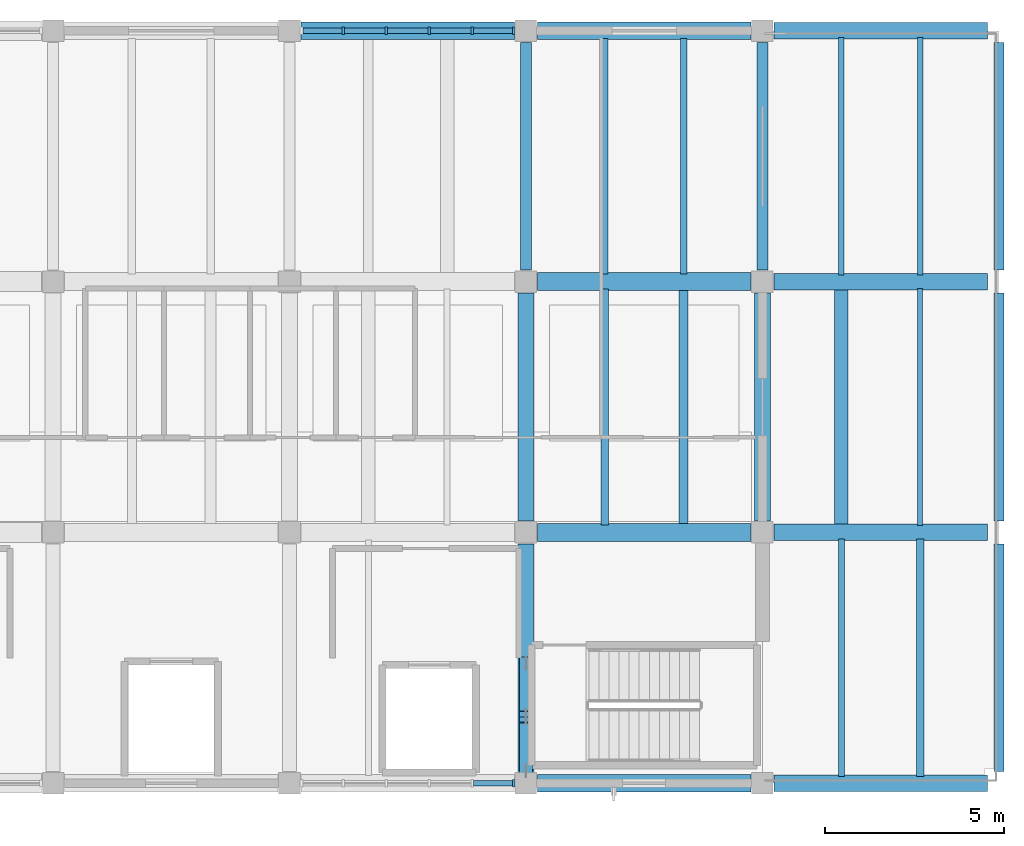
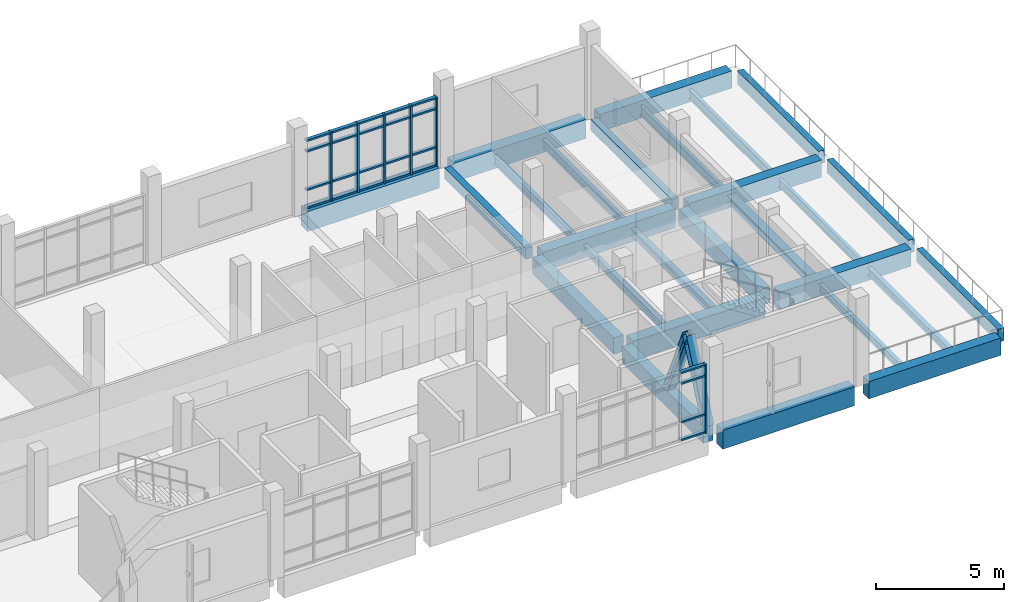
# One storey, part 5 of 14: 32 members, 27 beams, 2 elements without a shape of their own.
"""IFC4 building model written with IfcOpenShell, lengths in metres."""

from ifc_helpers import new_model, si_unit, direction, frame, origin, origin_2d, place, context, subcontext, project, spatial, rectangle, i_section, extrude, material, material_profile, profile_set, type_object, element, aggregate, save


model = new_model("IFC4")

# Units and contexts
model_context = context("Model", 3, precision=1e-05, world=origin(), true_north=direction((0.0, 1.0)))
body_context = subcontext(model_context, "Body", "Model", "MODEL_VIEW")
ifc_project = project(units=[si_unit("LENGTHUNIT", "METRE"), si_unit("AREAUNIT", "SQUARE_METRE"), si_unit("VOLUMEUNIT", "CUBIC_METRE"), si_unit("PLANEANGLEUNIT", "RADIAN"), si_unit("MASSUNIT", "GRAM", prefix="KILO")], contexts=[model_context])

# Site, building, storey
site_placement = place(None, origin())
site = spatial("IfcSite", under=ifc_project, at=site_placement, CompositionType="ELEMENT")
building_placement = place(site_placement, origin())
building = spatial("IfcBuilding", under=site, at=building_placement, Name="Ciguamira Faculty of Natural Sciences", CompositionType="ELEMENT")
storey_placement = place(building_placement, frame((0.0, 0.0, 29.39990234375)))
storey = spatial("IfcBuildingStorey", under=building, at=storey_placement, Name="L07", CompositionType="ELEMENT", Elevation=29.39990234375)

# Curtain wall, member
ifc_material_1 = material(Name="Anodized aluminium curtain wall", Category="aluminium")
curtain_wall_type_1 = type_object("IfcCurtainWallType", Name="CurtainWall_CW-06", PredefinedType="USERDEFINED", material=ifc_material_1)
curtain_wall_1_placement = place(storey_placement, origin())
curtain_wall_1 = element("IfcCurtainWall", 1, at=curtain_wall_1_placement, inside=storey, type_object=curtain_wall_type_1, Name="L07 unitised curtain wall 0150", ObjectType="UNITISED CURTAIN WALL", PredefinedType="USERDEFINED")
ifc_material_2 = material(Name="Anodized aluminium mullion", Category="aluminium")
ifc_material_profile_1 = material_profile(ifc_material_2, rectangle(XDim=0.080078125, YDim=0.219970703125, at=origin_2d()), Name="ALU-MUL-80X220")
ifc_profile_set_1 = profile_set([ifc_material_profile_1], Name="Anodized aluminium mullion")
member_type_1 = type_object("IfcMemberType", Name="CWMullion_CWM-03", PredefinedType="MULLION", material=ifc_profile_set_1)
member_1_placement = place(storey_placement, frame((96.56005859375, 94.0, 0.0), z_axis=(0.0, 0.0, 1.0), x_axis=(1.0, 0.0, 0.0)))
member_1 = element("IfcMember", 2, at=member_1_placement, type_object=member_type_1, Name="CW-06 mullion 6", PredefinedType="MULLION", context=body_context, shape_type="SweptSolid", body=[
    extrude(rectangle(XDim=0.080078125, YDim=0.219970703125, at=origin_2d()), origin(), (0.0, 0.0, 1.0), 3.28515625),
])

# Curtain wall, members
curtain_wall_type_2 = type_object("IfcCurtainWallType", Name="CurtainWall_CW-09", PredefinedType="USERDEFINED", material=ifc_material_1)
curtain_wall_2_placement = place(storey_placement, origin())
curtain_wall_2 = element("IfcCurtainWall", 3, at=curtain_wall_2_placement, inside=storey, type_object=curtain_wall_type_2, Name="L07 unitised curtain wall 0153", ObjectType="UNITISED CURTAIN WALL", PredefinedType="USERDEFINED")
member_2_placement = place(storey_placement, frame((91.800048828125, 115.0, 0.0), z_axis=(0.0, 0.0, 1.0), x_axis=(1.0, 0.0, 0.0)))
member_2 = element("IfcMember", 4, at=member_2_placement, type_object=member_type_1, Name="CW-09 mullion 2", PredefinedType="MULLION", context=body_context, shape_type="SweptSolid", body=[
    extrude(rectangle(XDim=0.080078125, YDim=0.219970703125, at=origin_2d()), origin(), (0.0, 0.0, 1.0), 3.28515625),
])
member_3_placement = place(storey_placement, frame((93.0, 115.0, 0.0), z_axis=(0.0, 0.0, 1.0), x_axis=(1.0, 0.0, 0.0)))
member_3 = element("IfcMember", 5, at=member_3_placement, type_object=member_type_1, Name="CW-09 mullion 3", PredefinedType="MULLION", context=body_context, shape_type="SweptSolid", body=[
    extrude(rectangle(XDim=0.080078125, YDim=0.219970703125, at=origin_2d()), origin(), (0.0, 0.0, 1.0), 3.28515625),
])
member_4_placement = place(storey_placement, frame((94.199951171875, 115.0, 0.0), z_axis=(0.0, 0.0, 1.0), x_axis=(1.0, 0.0, 0.0)))
member_4 = element("IfcMember", 6, at=member_4_placement, type_object=member_type_1, Name="CW-09 mullion 4", PredefinedType="MULLION", context=body_context, shape_type="SweptSolid", body=[
    extrude(rectangle(XDim=0.080078125, YDim=0.219970703125, at=origin_2d()), origin(), (0.0, 0.0, 1.0), 3.28515625),
])
member_5_placement = place(storey_placement, frame((95.39990234375, 115.0, 0.0), z_axis=(0.0, 0.0, 1.0), x_axis=(1.0, 0.0, 0.0)))
member_5 = element("IfcMember", 7, at=member_5_placement, type_object=member_type_1, Name="CW-09 mullion 5", PredefinedType="MULLION", context=body_context, shape_type="SweptSolid", body=[
    extrude(rectangle(XDim=0.080078125, YDim=0.219970703125, at=origin_2d()), origin(), (0.0, 0.0, 1.0), 3.28515625),
])
member_6_placement = place(storey_placement, frame((96.56005859375, 115.0, 0.0), z_axis=(0.0, 0.0, 1.0), x_axis=(1.0, 0.0, 0.0)))
member_6 = element("IfcMember", 8, at=member_6_placement, type_object=member_type_1, Name="CW-09 mullion 6", PredefinedType="MULLION", context=body_context, shape_type="SweptSolid", body=[
    extrude(rectangle(XDim=0.080078125, YDim=0.219970703125, at=origin_2d()), origin(), (0.0, 0.0, 1.0), 3.28515625),
])

# Member
ifc_material_3 = material(Name="Anodized aluminium transom", Category="aluminium")
ifc_material_profile_2 = material_profile(ifc_material_3, rectangle(XDim=0.080078125, YDim=0.159912109375, at=origin_2d()), Name="ALU-TRN-80X160")
ifc_profile_set_2 = profile_set([ifc_material_profile_2], Name="Anodized aluminium transom")
member_type_2 = type_object("IfcMemberType", Name="CWTransom_CWT-03", PredefinedType="USERDEFINED", material=ifc_profile_set_2)
member_7_placement = place(storey_placement, frame((95.43994140625, 94.0, 0.0400390625), z_axis=(1.0, 0.0, 0.0), x_axis=(0.0, 0.0, 1.0)))
member_7 = element("IfcMember", 9, at=member_7_placement, type_object=member_type_2, Name="CW-06 transom 5.1", ObjectType="TRANSOM", PredefinedType="USERDEFINED", context=body_context, shape_type="SweptSolid", body=[
    extrude(rectangle(XDim=0.080078125, YDim=0.159912109375, at=origin_2d()), origin(), (0.0, 0.0, 1.0), 1.080078125),
])

member_8_placement = place(storey_placement, frame((95.43994140625, 94.0, 0.900146484375), z_axis=(1.0, 0.0, 0.0), x_axis=(0.0, 0.0, 1.0)))
member_8 = element("IfcMember", 10, at=member_8_placement, type_object=member_type_2, Name="CW-06 transom 5.2", ObjectType="TRANSOM", PredefinedType="USERDEFINED", context=body_context, shape_type="SweptSolid", body=[
    extrude(rectangle(XDim=0.080078125, YDim=0.159912109375, at=origin_2d()), origin(), (0.0, 0.0, 1.0), 1.080078125),
])

member_9_placement = place(storey_placement, frame((95.43994140625, 94.0, 2.735107421875), z_axis=(1.0, 0.0, 0.0), x_axis=(0.0, 0.0, 1.0)))
member_9 = element("IfcMember", 11, at=member_9_placement, type_object=member_type_2, Name="CW-06 transom 5.3", ObjectType="TRANSOM", PredefinedType="USERDEFINED", context=body_context, shape_type="SweptSolid", body=[
    extrude(rectangle(XDim=0.080078125, YDim=0.159912109375, at=origin_2d()), origin(), (0.0, 0.0, 1.0), 1.080078125),
])

member_10_placement = place(storey_placement, frame((95.43994140625, 94.0, 3.2451171875), z_axis=(1.0, 0.0, 0.0), x_axis=(0.0, 0.0, 1.0)))
member_10 = element("IfcMember", 12, at=member_10_placement, type_object=member_type_2, Name="CW-06 transom 5.4", ObjectType="TRANSOM", PredefinedType="USERDEFINED", context=body_context, shape_type="SweptSolid", body=[
    extrude(rectangle(XDim=0.080078125, YDim=0.159912109375, at=origin_2d()), origin(), (0.0, 0.0, 1.0), 1.080078125),
])

aggregate(curtain_wall_1, [member_1, member_7, member_8, member_9, member_10])

member_11_placement = place(storey_placement, frame((90.679931640625, 115.0, 0.0400390625), z_axis=(1.0, 0.0, 0.0), x_axis=(0.0, 0.0, 1.0)))
member_11 = element("IfcMember", 13, at=member_11_placement, type_object=member_type_2, Name="CW-09 transom 1.1", ObjectType="TRANSOM", PredefinedType="USERDEFINED", context=body_context, shape_type="SweptSolid", body=[
    extrude(rectangle(XDim=0.080078125, YDim=0.159912109375, at=origin_2d()), origin(), (0.0, 0.0, 1.0), 1.080078125),
])

member_12_placement = place(storey_placement, frame((90.679931640625, 115.0, 0.900146484375), z_axis=(1.0, 0.0, 0.0), x_axis=(0.0, 0.0, 1.0)))
member_12 = element("IfcMember", 14, at=member_12_placement, type_object=member_type_2, Name="CW-09 transom 1.2", ObjectType="TRANSOM", PredefinedType="USERDEFINED", context=body_context, shape_type="SweptSolid", body=[
    extrude(rectangle(XDim=0.080078125, YDim=0.159912109375, at=origin_2d()), origin(), (0.0, 0.0, 1.0), 1.080078125),
])

member_13_placement = place(storey_placement, frame((90.679931640625, 115.0, 2.735107421875), z_axis=(1.0, 0.0, 0.0), x_axis=(0.0, 0.0, 1.0)))
member_13 = element("IfcMember", 15, at=member_13_placement, type_object=member_type_2, Name="CW-09 transom 1.3", ObjectType="TRANSOM", PredefinedType="USERDEFINED", context=body_context, shape_type="SweptSolid", body=[
    extrude(rectangle(XDim=0.080078125, YDim=0.159912109375, at=origin_2d()), origin(), (0.0, 0.0, 1.0), 1.080078125),
])

member_14_placement = place(storey_placement, frame((90.679931640625, 115.0, 3.2451171875), z_axis=(1.0, 0.0, 0.0), x_axis=(0.0, 0.0, 1.0)))
member_14 = element("IfcMember", 16, at=member_14_placement, type_object=member_type_2, Name="CW-09 transom 1.4", ObjectType="TRANSOM", PredefinedType="USERDEFINED", context=body_context, shape_type="SweptSolid", body=[
    extrude(rectangle(XDim=0.080078125, YDim=0.159912109375, at=origin_2d()), origin(), (0.0, 0.0, 1.0), 1.080078125),
])

member_15_placement = place(storey_placement, frame((91.840087890625, 115.0, 0.0400390625), z_axis=(1.0, 0.0, 0.0), x_axis=(0.0, 0.0, 1.0)))
member_15 = element("IfcMember", 17, at=member_15_placement, type_object=member_type_2, Name="CW-09 transom 2.1", ObjectType="TRANSOM", PredefinedType="USERDEFINED", context=body_context, shape_type="SweptSolid", body=[
    extrude(rectangle(XDim=0.080078125, YDim=0.159912109375, at=origin_2d()), origin(), (0.0, 0.0, 1.0), 1.119873046875),
])

member_16_placement = place(storey_placement, frame((91.840087890625, 115.0, 0.900146484375), z_axis=(1.0, 0.0, 0.0), x_axis=(0.0, 0.0, 1.0)))
member_16 = element("IfcMember", 18, at=member_16_placement, type_object=member_type_2, Name="CW-09 transom 2.2", ObjectType="TRANSOM", PredefinedType="USERDEFINED", context=body_context, shape_type="SweptSolid", body=[
    extrude(rectangle(XDim=0.080078125, YDim=0.159912109375, at=origin_2d()), origin(), (0.0, 0.0, 1.0), 1.119873046875),
])

member_17_placement = place(storey_placement, frame((91.840087890625, 115.0, 2.735107421875), z_axis=(1.0, 0.0, 0.0), x_axis=(0.0, 0.0, 1.0)))
member_17 = element("IfcMember", 19, at=member_17_placement, type_object=member_type_2, Name="CW-09 transom 2.3", ObjectType="TRANSOM", PredefinedType="USERDEFINED", context=body_context, shape_type="SweptSolid", body=[
    extrude(rectangle(XDim=0.080078125, YDim=0.159912109375, at=origin_2d()), origin(), (0.0, 0.0, 1.0), 1.119873046875),
])

member_18_placement = place(storey_placement, frame((91.840087890625, 115.0, 3.2451171875), z_axis=(1.0, 0.0, 0.0), x_axis=(0.0, 0.0, 1.0)))
member_18 = element("IfcMember", 20, at=member_18_placement, type_object=member_type_2, Name="CW-09 transom 2.4", ObjectType="TRANSOM", PredefinedType="USERDEFINED", context=body_context, shape_type="SweptSolid", body=[
    extrude(rectangle(XDim=0.080078125, YDim=0.159912109375, at=origin_2d()), origin(), (0.0, 0.0, 1.0), 1.119873046875),
])

member_19_placement = place(storey_placement, frame((93.0400390625, 115.0, 0.0400390625), z_axis=(1.0, 0.0, 0.0), x_axis=(0.0, 0.0, 1.0)))
member_19 = element("IfcMember", 21, at=member_19_placement, type_object=member_type_2, Name="CW-09 transom 3.1", ObjectType="TRANSOM", PredefinedType="USERDEFINED", context=body_context, shape_type="SweptSolid", body=[
    extrude(rectangle(XDim=0.080078125, YDim=0.159912109375, at=origin_2d()), origin(), (0.0, 0.0, 1.0), 1.119873046875),
])

member_20_placement = place(storey_placement, frame((93.0400390625, 115.0, 0.900146484375), z_axis=(1.0, 0.0, 0.0), x_axis=(0.0, 0.0, 1.0)))
member_20 = element("IfcMember", 22, at=member_20_placement, type_object=member_type_2, Name="CW-09 transom 3.2", ObjectType="TRANSOM", PredefinedType="USERDEFINED", context=body_context, shape_type="SweptSolid", body=[
    extrude(rectangle(XDim=0.080078125, YDim=0.159912109375, at=origin_2d()), origin(), (0.0, 0.0, 1.0), 1.119873046875),
])

member_21_placement = place(storey_placement, frame((93.0400390625, 115.0, 2.735107421875), z_axis=(1.0, 0.0, 0.0), x_axis=(0.0, 0.0, 1.0)))
member_21 = element("IfcMember", 23, at=member_21_placement, type_object=member_type_2, Name="CW-09 transom 3.3", ObjectType="TRANSOM", PredefinedType="USERDEFINED", context=body_context, shape_type="SweptSolid", body=[
    extrude(rectangle(XDim=0.080078125, YDim=0.159912109375, at=origin_2d()), origin(), (0.0, 0.0, 1.0), 1.119873046875),
])

member_22_placement = place(storey_placement, frame((93.0400390625, 115.0, 3.2451171875), z_axis=(1.0, 0.0, 0.0), x_axis=(0.0, 0.0, 1.0)))
member_22 = element("IfcMember", 24, at=member_22_placement, type_object=member_type_2, Name="CW-09 transom 3.4", ObjectType="TRANSOM", PredefinedType="USERDEFINED", context=body_context, shape_type="SweptSolid", body=[
    extrude(rectangle(XDim=0.080078125, YDim=0.159912109375, at=origin_2d()), origin(), (0.0, 0.0, 1.0), 1.119873046875),
])

member_23_placement = place(storey_placement, frame((94.239990234375, 115.0, 0.0400390625), z_axis=(1.0, 0.0, 0.0), x_axis=(0.0, 0.0, 1.0)))
member_23 = element("IfcMember", 25, at=member_23_placement, type_object=member_type_2, Name="CW-09 transom 4.1", ObjectType="TRANSOM", PredefinedType="USERDEFINED", context=body_context, shape_type="SweptSolid", body=[
    extrude(rectangle(XDim=0.080078125, YDim=0.159912109375, at=origin_2d()), origin(), (0.0, 0.0, 1.0), 1.1201171875),
])

member_24_placement = place(storey_placement, frame((94.239990234375, 115.0, 0.900146484375), z_axis=(1.0, 0.0, 0.0), x_axis=(0.0, 0.0, 1.0)))
member_24 = element("IfcMember", 26, at=member_24_placement, type_object=member_type_2, Name="CW-09 transom 4.2", ObjectType="TRANSOM", PredefinedType="USERDEFINED", context=body_context, shape_type="SweptSolid", body=[
    extrude(rectangle(XDim=0.080078125, YDim=0.159912109375, at=origin_2d()), origin(), (0.0, 0.0, 1.0), 1.1201171875),
])

member_25_placement = place(storey_placement, frame((94.239990234375, 115.0, 2.735107421875), z_axis=(1.0, 0.0, 0.0), x_axis=(0.0, 0.0, 1.0)))
member_25 = element("IfcMember", 27, at=member_25_placement, type_object=member_type_2, Name="CW-09 transom 4.3", ObjectType="TRANSOM", PredefinedType="USERDEFINED", context=body_context, shape_type="SweptSolid", body=[
    extrude(rectangle(XDim=0.080078125, YDim=0.159912109375, at=origin_2d()), origin(), (0.0, 0.0, 1.0), 1.1201171875),
])

member_26_placement = place(storey_placement, frame((94.239990234375, 115.0, 3.2451171875), z_axis=(1.0, 0.0, 0.0), x_axis=(0.0, 0.0, 1.0)))
member_26 = element("IfcMember", 28, at=member_26_placement, type_object=member_type_2, Name="CW-09 transom 4.4", ObjectType="TRANSOM", PredefinedType="USERDEFINED", context=body_context, shape_type="SweptSolid", body=[
    extrude(rectangle(XDim=0.080078125, YDim=0.159912109375, at=origin_2d()), origin(), (0.0, 0.0, 1.0), 1.1201171875),
])

member_27_placement = place(storey_placement, frame((95.43994140625, 115.0, 0.0400390625), z_axis=(1.0, 0.0, 0.0), x_axis=(0.0, 0.0, 1.0)))
member_27 = element("IfcMember", 29, at=member_27_placement, type_object=member_type_2, Name="CW-09 transom 5.1", ObjectType="TRANSOM", PredefinedType="USERDEFINED", context=body_context, shape_type="SweptSolid", body=[
    extrude(rectangle(XDim=0.080078125, YDim=0.159912109375, at=origin_2d()), origin(), (0.0, 0.0, 1.0), 1.080078125),
])

member_28_placement = place(storey_placement, frame((95.43994140625, 115.0, 0.900146484375), z_axis=(1.0, 0.0, 0.0), x_axis=(0.0, 0.0, 1.0)))
member_28 = element("IfcMember", 30, at=member_28_placement, type_object=member_type_2, Name="CW-09 transom 5.2", ObjectType="TRANSOM", PredefinedType="USERDEFINED", context=body_context, shape_type="SweptSolid", body=[
    extrude(rectangle(XDim=0.080078125, YDim=0.159912109375, at=origin_2d()), origin(), (0.0, 0.0, 1.0), 1.080078125),
])

member_29_placement = place(storey_placement, frame((95.43994140625, 115.0, 2.735107421875), z_axis=(1.0, 0.0, 0.0), x_axis=(0.0, 0.0, 1.0)))
member_29 = element("IfcMember", 31, at=member_29_placement, type_object=member_type_2, Name="CW-09 transom 5.3", ObjectType="TRANSOM", PredefinedType="USERDEFINED", context=body_context, shape_type="SweptSolid", body=[
    extrude(rectangle(XDim=0.080078125, YDim=0.159912109375, at=origin_2d()), origin(), (0.0, 0.0, 1.0), 1.080078125),
])

member_30_placement = place(storey_placement, frame((95.43994140625, 115.0, 3.2451171875), z_axis=(1.0, 0.0, 0.0), x_axis=(0.0, 0.0, 1.0)))
member_30 = element("IfcMember", 32, at=member_30_placement, type_object=member_type_2, Name="CW-09 transom 5.4", ObjectType="TRANSOM", PredefinedType="USERDEFINED", context=body_context, shape_type="SweptSolid", body=[
    extrude(rectangle(XDim=0.080078125, YDim=0.159912109375, at=origin_2d()), origin(), (0.0, 0.0, 1.0), 1.080078125),
])

aggregate(curtain_wall_2, [member_2, member_3, member_4, member_5, member_6, member_11, member_12, member_13, member_14, member_15, member_16, member_17, member_18, member_19, member_20, member_21, member_22, member_23, member_24, member_25, member_26, member_27, member_28, member_29, member_30])

# Beams
ifc_material_4 = material(Name="Concrete C40/50", Category="concrete")
ifc_material_profile_3 = material_profile(ifc_material_4, rectangle(XDim=0.5, YDim=0.949951171875, at=origin_2d()), Name="RC-BM-500X950")
ifc_profile_set_3 = profile_set([ifc_material_profile_3], Name="Concrete C40/50")
beam_type_1 = type_object("IfcBeamType", Name="RCBeam_BG-02_RC-BM-500X950", PredefinedType="BEAM", material=ifc_profile_set_3)
beam_1_placement = place(storey_placement, frame((90.625, 115.0, -0.474853515625), z_axis=(1.0, 0.0, 0.0), x_axis=(0.0, 1.0, 0.0)))
element("IfcBeam", 33, at=beam_1_placement, inside=storey, type_object=beam_type_1, Name="L07 RC girder EW-1569", PredefinedType="BEAM", context=body_context, shape_type="SweptSolid", body=[
    extrude(rectangle(XDim=0.5, YDim=0.949951171875, at=origin_2d()), origin(), (0.0, 0.0, 1.0), 5.949951171875),
])
ifc_material_profile_4 = material_profile(ifc_material_4, rectangle(XDim=0.5, YDim=0.89990234375, at=origin_2d()), Name="RC-BM-500X900")
ifc_profile_set_4 = profile_set([ifc_material_profile_4], Name="Concrete C40/50")
beam_type_2 = type_object("IfcBeamType", Name="RCBeam_BG-03_RC-BM-500X900", PredefinedType="BEAM", material=ifc_profile_set_4)
for number, where, z_axis, x_axis, name in (
    (34, (97.22509765625, 94.0, -0.449951171875), (1.0, 0.0, 0.0), (0.0, 1.0, 0.0), "L07 RC girder EW-1549"),
    (35, (97.22509765625, 101.0, -0.449951171875), (1.0, 0.0, 0.0), (0.0, 1.0, 0.0), "L07 RC girder EW-1556"),
    (36, (97.22509765625, 108.0, -0.449951171875), (1.0, 0.0, 0.0), (0.0, 1.0, 0.0), "L07 RC girder EW-1563"),
    (37, (97.22509765625, 115.0, -0.449951171875), (1.0, 0.0, 0.0), (0.0, 1.0, 0.0), "L07 RC girder EW-1570"),
):
    element("IfcBeam", number, at=place(storey_placement, frame(where, z_axis=z_axis, x_axis=x_axis)), inside=storey, type_object=beam_type_2, Name=name, PredefinedType="BEAM", context=body_context, shape_type="SweptSolid", body=[
        extrude(rectangle(XDim=0.5, YDim=0.89990234375, at=origin_2d()), origin(), (0.0, 0.0, 1.0), 5.949951171875),
    ])
ifc_material_profile_5 = material_profile(ifc_material_4, rectangle(XDim=0.4599609375, YDim=0.820068359375, at=origin_2d()), Name="RC-BM-460X820")
ifc_profile_set_5 = profile_set([ifc_material_profile_5], Name="Concrete C40/50")
beam_type_3 = type_object("IfcBeamType", Name="RCBeam_BG-04_RC-BM-460X820", PredefinedType="BEAM", material=ifc_profile_set_5)
for number, where, z_axis, x_axis, name in (
    (38, (103.824951171875, 94.0, -0.409912109375), (1.0, 0.0, 0.0), (0.0, 1.0, 0.0), "L07 RC girder EW-1550"),
    (39, (103.824951171875, 101.0, -0.409912109375), (1.0, 0.0, 0.0), (0.0, 1.0, 0.0), "L07 RC girder EW-1557"),
    (40, (103.824951171875, 108.0, -0.409912109375), (1.0, 0.0, 0.0), (0.0, 1.0, 0.0), "L07 RC girder EW-1564"),
    (41, (103.824951171875, 115.0, -0.409912109375), (1.0, 0.0, 0.0), (0.0, 1.0, 0.0), "L07 RC girder EW-1571"),
):
    element("IfcBeam", number, at=place(storey_placement, frame(where, z_axis=z_axis, x_axis=x_axis)), inside=storey, type_object=beam_type_3, Name=name, PredefinedType="BEAM", context=body_context, shape_type="SweptSolid", body=[
        extrude(rectangle(XDim=0.4599609375, YDim=0.820068359375, at=origin_2d()), origin(), (0.0, 0.0, 1.0), 5.949951171875),
    ])
ifc_material_profile_6 = material_profile(ifc_material_4, rectangle(XDim=0.43994140625, YDim=0.780029296875, at=origin_2d()), Name="RC-BM-440X780")
ifc_profile_set_6 = profile_set([ifc_material_profile_6], Name="Concrete C40/50")
beam_type_4 = type_object("IfcBeamType", Name="RCBeam_BG-06_RC-BM-440X780", PredefinedType="BEAM", material=ifc_profile_set_6)
for number, where, z_axis, x_axis, name in (
    (42, (96.89990234375, 101.324951171875, -0.389892578125), (0.0, 1.0, 0.0), (-1.0, 0.0, 0.0), "L07 girder NS-1585"),
    (43, (103.5, 101.324951171875, -0.389892578125), (0.0, 1.0, 0.0), (-1.0, 0.0, 0.0), "L07 girder NS-1587"),
    (44, (96.89990234375, 94.324951171875, -0.389892578125), (0.0, 1.0, 0.0), (-1.0, 0.0, 0.0), "L07 core-end brace tie girder 96"),
):
    element("IfcBeam", number, at=place(storey_placement, frame(where, z_axis=z_axis, x_axis=x_axis)), inside=storey, type_object=beam_type_4, Name=name, PredefinedType="BEAM", context=body_context, shape_type="SweptSolid", body=[
        extrude(rectangle(XDim=0.43994140625, YDim=0.780029296875, at=origin_2d()), origin(), (0.0, 0.0, 1.0), 6.35009765625),
    ])
ifc_material_profile_7 = material_profile(ifc_material_4, rectangle(XDim=0.300048828125, YDim=0.52001953125, at=origin_2d()), Name="RC-BM-300X520")
ifc_profile_set_7 = profile_set([ifc_material_profile_7], Name="Concrete C40/50")
beam_type_5 = type_object("IfcBeamType", Name="RCBeam_BG-13_RC-BM-300X520", PredefinedType="BEAM", material=ifc_profile_set_7)
for number, where, z_axis, x_axis, name in (
    (45, (96.89990234375, 108.324951171875, -0.260009765625), (0.0, 1.0, 0.0), (-1.0, 0.0, 0.0), "L07 girder NS-1586"),
    (46, (103.5, 108.324951171875, -0.260009765625), (0.0, 1.0, 0.0), (-1.0, 0.0, 0.0), "L07 girder NS-1588"),
):
    element("IfcBeam", number, at=place(storey_placement, frame(where, z_axis=z_axis, x_axis=x_axis)), inside=storey, type_object=beam_type_5, Name=name, PredefinedType="BEAM", context=body_context, shape_type="SweptSolid", body=[
        extrude(rectangle(XDim=0.300048828125, YDim=0.52001953125, at=origin_2d()), origin(), (0.0, 0.0, 1.0), 6.35009765625),
    ])
ifc_material_5 = material(Name="Precast concrete C40/50", Category="concrete")
ifc_material_profile_8 = material_profile(ifc_material_5, rectangle(XDim=0.280029296875, YDim=0.6201171875, at=origin_2d()), Name="RC-SP-280X620")
ifc_profile_set_8 = profile_set([ifc_material_profile_8], Name="Precast concrete C40/50")
beam_type_6 = type_object("IfcBeamType", Name="RCBeam_SP-01_RC-SP-280X620", PredefinedType="SPANDREL", material=ifc_profile_set_8)
for number, where, z_axis, x_axis, name in (
    (47, (110.10009765625, 94.324951171875, -0.309814453125), (0.0, 1.0, 0.0), (-1.0, 0.0, 0.0), "L07 girder NS-1589"),
    (48, (110.10009765625, 101.324951171875, -0.309814453125), (0.0, 1.0, 0.0), (-1.0, 0.0, 0.0), "L07 girder NS-1590"),
    (49, (110.10009765625, 108.324951171875, -0.309814453125), (0.0, 1.0, 0.0), (-1.0, 0.0, 0.0), "L07 girder NS-1591"),
):
    element("IfcBeam", number, at=place(storey_placement, frame(where, z_axis=z_axis, x_axis=x_axis)), inside=storey, type_object=beam_type_6, Name=name, PredefinedType="SPANDREL", context=body_context, shape_type="SweptSolid", body=[
        extrude(rectangle(XDim=0.280029296875, YDim=0.6201171875, at=origin_2d()), origin(), (0.0, 0.0, 1.0), 6.35009765625),
    ])
ifc_material_6 = material(Name="Steel ASTM A992 Grade 50", Category="steel")
ifc_material_profile_9 = material_profile(ifc_material_6, i_section(OverallWidth=0.1708984375, OverallDepth=0.3505859375, WebThickness=0.0068359375, FlangeThickness=0.009765625, at=origin_2d()), Name="W14X30")
ifc_profile_set_9 = profile_set([ifc_material_profile_9], Name="Steel ASTM A992 Grade 50")
beam_type_7 = type_object("IfcBeamType", Name="SteelJoist_SJ-11_W14X30", PredefinedType="JOIST", material=ifc_profile_set_9)
beam_2_placement = place(storey_placement, frame((105.699951171875, 94.18994140625, -0.375244140625), z_axis=(0.0, 1.0, 0.0), x_axis=(-1.0, 0.0, 0.0)))
element("IfcBeam", 50, at=beam_2_placement, inside=storey, type_object=beam_type_7, Name="L07 composite steel joist 01444", PredefinedType="JOIST", context=body_context, shape_type="SweptSolid", body=[
    extrude(i_section(OverallWidth=0.1708984375, OverallDepth=0.3505859375, WebThickness=0.0068359375, FlangeThickness=0.009765625, at=origin_2d()), origin(), (0.0, 0.0, 1.0), 6.6201171875),
])
ifc_material_profile_10 = material_profile(ifc_material_6, i_section(OverallWidth=0.203125, OverallDepth=0.347900390625, WebThickness=0.0078125, FlangeThickness=0.013427734375, at=origin_2d()), Name="W14X43")
ifc_profile_set_10 = profile_set([ifc_material_profile_10], Name="Steel ASTM A992 Grade 50")
beam_type_8 = type_object("IfcBeamType", Name="SteelJoist_SJ-12_W14X43", PredefinedType="JOIST", material=ifc_profile_set_10)
beam_3_placement = place(storey_placement, frame((107.89990234375, 94.18994140625, -0.3740234375), z_axis=(0.0, 1.0, 0.0), x_axis=(-1.0, 0.0, 0.0)))
element("IfcBeam", 51, at=beam_3_placement, inside=storey, type_object=beam_type_8, Name="L07 composite steel joist 01445", PredefinedType="JOIST", context=body_context, shape_type="SweptSolid", body=[
    extrude(i_section(OverallWidth=0.203125, OverallDepth=0.347900390625, WebThickness=0.0078125, FlangeThickness=0.013427734375, at=origin_2d()), origin(), (0.0, 0.0, 1.0), 6.6201171875),
])
ifc_material_profile_11 = material_profile(ifc_material_6, i_section(OverallWidth=0.204833984375, OverallDepth=0.35302734375, WebThickness=0.00927734375, FlangeThickness=0.016845703125, at=origin_2d()), Name="W14X53")
ifc_profile_set_11 = profile_set([ifc_material_profile_11], Name="Steel ASTM A992 Grade 50")
beam_type_9 = type_object("IfcBeamType", Name="SteelJoist_SJ-13_W14X53", PredefinedType="JOIST", material=ifc_profile_set_11)
beam_4_placement = place(storey_placement, frame((99.10009765625, 101.2099609375, -0.41650390625), z_axis=(0.0, 1.0, 0.0), x_axis=(-1.0, 0.0, 0.0)))
element("IfcBeam", 52, at=beam_4_placement, inside=storey, type_object=beam_type_9, Name="L07 composite steel joist 01440", PredefinedType="JOIST", context=body_context, shape_type="SweptSolid", body=[
    extrude(i_section(OverallWidth=0.204833984375, OverallDepth=0.35302734375, WebThickness=0.00927734375, FlangeThickness=0.016845703125, at=origin_2d()), origin(), (0.0, 0.0, 1.0), 6.580078125),
])
ifc_material_profile_12 = material_profile(ifc_material_6, i_section(OverallWidth=0.25390625, OverallDepth=0.355712890625, WebThickness=0.010498046875, FlangeThickness=0.018310546875, at=origin_2d()), Name="W14X68")
ifc_profile_set_12 = profile_set([ifc_material_profile_12], Name="Steel ASTM A992 Grade 50")
beam_type_10 = type_object("IfcBeamType", Name="SteelJoist_SJ-14_W14X68", PredefinedType="JOIST", material=ifc_profile_set_12)
beam_5_placement = place(storey_placement, frame((101.300048828125, 101.2099609375, -0.417724609375), z_axis=(0.0, 1.0, 0.0), x_axis=(-1.0, 0.0, 0.0)))
element("IfcBeam", 53, at=beam_5_placement, inside=storey, type_object=beam_type_10, Name="L07 composite steel joist 01441", PredefinedType="JOIST", context=body_context, shape_type="SweptSolid", body=[
    extrude(i_section(OverallWidth=0.25390625, OverallDepth=0.355712890625, WebThickness=0.010498046875, FlangeThickness=0.018310546875, at=origin_2d()), origin(), (0.0, 0.0, 1.0), 6.580078125),
])
ifc_material_profile_13 = material_profile(ifc_material_6, i_section(OverallWidth=0.368408203125, OverallDepth=0.355712890625, WebThickness=0.01123046875, FlangeThickness=0.01806640625, at=origin_2d()), Name="W14X90")
ifc_profile_set_13 = profile_set([ifc_material_profile_13], Name="Steel ASTM A992 Grade 50")
beam_type_11 = type_object("IfcBeamType", Name="SteelJoist_SJ-16_W14X90", PredefinedType="JOIST", material=ifc_profile_set_13)
beam_6_placement = place(storey_placement, frame((105.699951171875, 101.18994140625, -0.377685546875), z_axis=(0.0, 1.0, 0.0), x_axis=(-1.0, 0.0, 0.0)))
element("IfcBeam", 54, at=beam_6_placement, inside=storey, type_object=beam_type_11, Name="L07 composite steel joist 01446", PredefinedType="JOIST", context=body_context, shape_type="SweptSolid", body=[
    extrude(i_section(OverallWidth=0.368408203125, OverallDepth=0.355712890625, WebThickness=0.01123046875, FlangeThickness=0.01806640625, at=origin_2d()), origin(), (0.0, 0.0, 1.0), 6.6201171875),
])
ifc_material_profile_14 = material_profile(ifc_material_6, i_section(OverallWidth=0.140380859375, OverallDepth=0.40380859375, WebThickness=0.007080078125, FlangeThickness=0.01123046875, at=origin_2d()), Name="W16X31")
ifc_profile_set_14 = profile_set([ifc_material_profile_14], Name="Steel ASTM A992 Grade 50")
beam_type_12 = type_object("IfcBeamType", Name="SteelJoist_SJ-17_W16X31", PredefinedType="JOIST", material=ifc_profile_set_14)
beam_7_placement = place(storey_placement, frame((107.89990234375, 101.18994140625, -0.40185546875), z_axis=(0.0, 1.0, 0.0), x_axis=(-1.0, 0.0, 0.0)))
element("IfcBeam", 55, at=beam_7_placement, inside=storey, type_object=beam_type_12, Name="L07 composite steel joist 01447", PredefinedType="JOIST", context=body_context, shape_type="SweptSolid", body=[
    extrude(i_section(OverallWidth=0.140380859375, OverallDepth=0.40380859375, WebThickness=0.007080078125, FlangeThickness=0.01123046875, at=origin_2d()), origin(), (0.0, 0.0, 1.0), 6.6201171875),
])
ifc_material_profile_15 = material_profile(ifc_material_6, i_section(OverallWidth=0.177490234375, OverallDepth=0.40380859375, WebThickness=0.007568359375, FlangeThickness=0.010986328125, at=origin_2d()), Name="W16X36")
ifc_profile_set_15 = profile_set([ifc_material_profile_15], Name="Steel ASTM A992 Grade 50")
beam_type_13 = type_object("IfcBeamType", Name="SteelJoist_SJ-18_W16X36", PredefinedType="JOIST", material=ifc_profile_set_15)
beam_8_placement = place(storey_placement, frame((99.10009765625, 108.2099609375, -0.44189453125), z_axis=(0.0, 1.0, 0.0), x_axis=(-1.0, 0.0, 0.0)))
element("IfcBeam", 56, at=beam_8_placement, inside=storey, type_object=beam_type_13, Name="L07 composite steel joist 01442", PredefinedType="JOIST", context=body_context, shape_type="SweptSolid", body=[
    extrude(i_section(OverallWidth=0.177490234375, OverallDepth=0.40380859375, WebThickness=0.007568359375, FlangeThickness=0.010986328125, at=origin_2d()), origin(), (0.0, 0.0, 1.0), 6.580078125),
])
ifc_material_profile_16 = material_profile(ifc_material_6, i_section(OverallWidth=0.1787109375, OverallDepth=0.408935546875, WebThickness=0.0087890625, FlangeThickness=0.014404296875, at=origin_2d()), Name="W16X45")
ifc_profile_set_16 = profile_set([ifc_material_profile_16], Name="Steel ASTM A992 Grade 50")
beam_type_14 = type_object("IfcBeamType", Name="SteelJoist_SJ-19_W16X45", PredefinedType="JOIST", material=ifc_profile_set_16)
beam_9_placement = place(storey_placement, frame((101.300048828125, 108.2099609375, -0.4443359375), z_axis=(0.0, 1.0, 0.0), x_axis=(-1.0, 0.0, 0.0)))
element("IfcBeam", 57, at=beam_9_placement, inside=storey, type_object=beam_type_14, Name="L07 composite steel joist 01443", PredefinedType="JOIST", context=body_context, shape_type="SweptSolid", body=[
    extrude(i_section(OverallWidth=0.1787109375, OverallDepth=0.408935546875, WebThickness=0.0087890625, FlangeThickness=0.014404296875, at=origin_2d()), origin(), (0.0, 0.0, 1.0), 6.580078125),
])
ifc_material_profile_17 = material_profile(ifc_material_6, i_section(OverallWidth=0.15234375, OverallDepth=0.449462890625, WebThickness=0.007568359375, FlangeThickness=0.0107421875, at=origin_2d()), Name="W18X35")
ifc_profile_set_17 = profile_set([ifc_material_profile_17], Name="Steel ASTM A992 Grade 50")
beam_type_15 = type_object("IfcBeamType", Name="SteelJoist_SJ-21_W18X35", PredefinedType="JOIST", material=ifc_profile_set_17)
beam_10_placement = place(storey_placement, frame((105.699951171875, 108.18994140625, -0.4248046875), z_axis=(0.0, 1.0, 0.0), x_axis=(-1.0, 0.0, 0.0)))
element("IfcBeam", 58, at=beam_10_placement, inside=storey, type_object=beam_type_15, Name="L07 composite steel joist 01448", PredefinedType="JOIST", context=body_context, shape_type="SweptSolid", body=[
    extrude(i_section(OverallWidth=0.15234375, OverallDepth=0.449462890625, WebThickness=0.007568359375, FlangeThickness=0.0107421875, at=origin_2d()), origin(), (0.0, 0.0, 1.0), 6.6201171875),
])
ifc_material_profile_18 = material_profile(ifc_material_6, i_section(OverallWidth=0.15283203125, OverallDepth=0.45458984375, WebThickness=0.008056640625, FlangeThickness=0.013427734375, at=origin_2d()), Name="W18X40")
ifc_profile_set_18 = profile_set([ifc_material_profile_18], Name="Steel ASTM A992 Grade 50")
beam_type_16 = type_object("IfcBeamType", Name="SteelJoist_SJ-22_W18X40", PredefinedType="JOIST", material=ifc_profile_set_18)
beam_11_placement = place(storey_placement, frame((107.89990234375, 108.18994140625, -0.42724609375), z_axis=(0.0, 1.0, 0.0), x_axis=(-1.0, 0.0, 0.0)))
element("IfcBeam", 59, at=beam_11_placement, inside=storey, type_object=beam_type_16, Name="L07 composite steel joist 01449", PredefinedType="JOIST", context=body_context, shape_type="SweptSolid", body=[
    extrude(i_section(OverallWidth=0.15283203125, OverallDepth=0.45458984375, WebThickness=0.008056640625, FlangeThickness=0.013427734375, at=origin_2d()), origin(), (0.0, 0.0, 1.0), 6.6201171875),
])

# Members
ifc_material_profile_19 = material_profile(ifc_material_6, i_section(OverallWidth=0.370849609375, OverallDepth=0.36328125, WebThickness=0.013427734375, FlangeThickness=0.021728515625, at=origin_2d()), Name="W14X109")
ifc_profile_set_19 = profile_set([ifc_material_profile_19], Name="Steel ASTM A992 Grade 50")
member_type_3 = type_object("IfcMemberType", Name="SteelMember_BR-02_W14X109", PredefinedType="BRACE", material=ifc_profile_set_19)
for number, where, z_axis, x_axis, name in (
    (60, (96.89990234375, 94.35009765625, 0.0), (0.0, 0.401645143601, 0.915795380323), (-1.0, 0.0, 0.0), "L07 lateral chevron brace 035"),
    (61, (96.89990234375, 97.35009765625, 0.0), (0.0, -0.401645143601, 0.915795380323), (1.0, 0.0, 0.0), "L07 lateral chevron brace 036"),
):
    element("IfcMember", number, at=place(storey_placement, frame(where, z_axis=z_axis, x_axis=x_axis)), inside=storey, type_object=member_type_3, Name=name, PredefinedType="BRACE", context=body_context, shape_type="SweptSolid", body=[
        extrude(i_section(OverallWidth=0.370849609375, OverallDepth=0.36328125, WebThickness=0.013427734375, FlangeThickness=0.021728515625, at=origin_2d()), origin(), (0.0, 0.0, 1.0), 3.734619140625),
    ])

save(model, "model.ifc")
